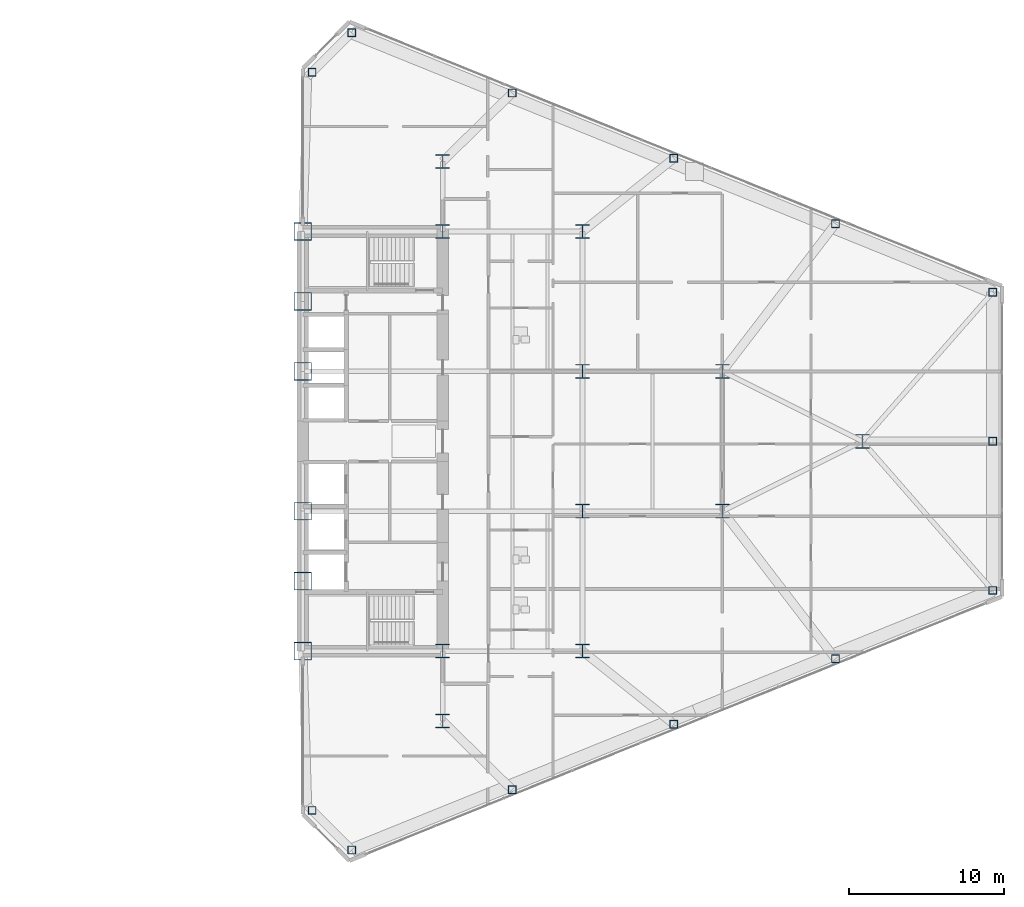
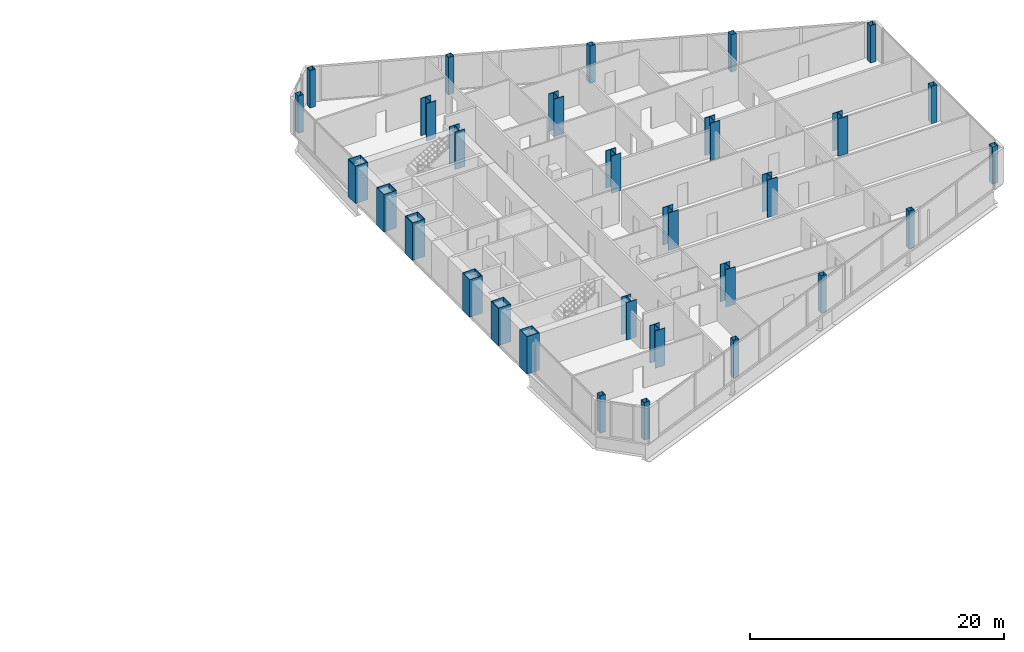
# One storey, part 2 of 26: 30 columns.
"""IFC4 building model written with IfcOpenShell, lengths in metres."""

from ifc_helpers import new_model, si_unit, direction, frame, origin, origin_2d, place, context, subcontext, project, spatial, hollow_rectangle, i_section, extrude, source, transform, mapped, material, material_profile, profile_set, type_object, type_shapes, element, save


model = new_model("IFC4")

# Units and contexts
model_context = context("Model", 3, precision=1e-05, world=origin(), true_north=direction((0.0, 1.0)))
body_context = subcontext(model_context, "Body", "Model", "MODEL_VIEW")
ifc_project = project(units=[si_unit("LENGTHUNIT", "METRE"), si_unit("AREAUNIT", "SQUARE_METRE"), si_unit("VOLUMEUNIT", "CUBIC_METRE"), si_unit("PLANEANGLEUNIT", "RADIAN"), si_unit("MASSUNIT", "GRAM", prefix="KILO")], contexts=[model_context])

# Site, building, storey
site_placement = place(None, origin())
site = spatial("IfcSite", under=ifc_project, at=site_placement, CompositionType="ELEMENT")
building_placement = place(site_placement, origin())
building = spatial("IfcBuilding", under=site, at=building_placement, Name="Seokmaru Belvedere", CompositionType="ELEMENT")
storey_placement = place(building_placement, frame((0.0, 0.0, 18.89990234375)))
storey = spatial("IfcBuildingStorey", under=building, at=storey_placement, Name="L04", CompositionType="ELEMENT", Elevation=18.89990234375)

# Columns
ifc_material_1 = material(Name="Steel HSA650 (650 MPa)", Category="steel")
ifc_material_profile_1 = material_profile(ifc_material_1, hollow_rectangle(XDim=1.14990234375, YDim=1.14990234375, WallThickness=0.048095703125, at=origin_2d()), Name="BOX-1150x1150x48")
ifc_profile_set_1 = profile_set([ifc_material_profile_1], Name="Steel HSA650 (650 MPa)")
column_type_1 = type_object("IfcColumnType", Name="Portal Spine Column BOX-1150", PredefinedType="COLUMN", material=ifc_profile_set_1)
shared_shape_1 = source(origin(), body_context, "Body", "SweptSolid", [
    extrude(hollow_rectangle(XDim=1.14990234375, YDim=1.14990234375, WallThickness=0.048095703125, at=origin_2d()), origin(), (0.0, 0.0, 1.0), 3.60009765625),
])
type_shapes(column_type_1, [shared_shape_1])
for number, where, z_axis, x_axis, name in (
    (1, (27.5, -13.5, 0.0), (0.0, 0.0, 1.0), (1.0, 0.0, 0.0), "L04 Column ES1"),
    (2, (27.5, -9.0, 0.0), (0.0, 0.0, 1.0), (1.0, 0.0, 0.0), "L04 Column ES2"),
    (3, (27.5, -4.5, 0.0), (0.0, 0.0, 1.0), (1.0, 0.0, 0.0), "L04 Column ES3"),
    (4, (27.5, 4.5, 0.0), (0.0, 0.0, 1.0), (1.0, 0.0, 0.0), "L04 Column ES4"),
    (5, (27.5, 9.0, 0.0), (0.0, 0.0, 1.0), (1.0, 0.0, 0.0), "L04 Column ES5"),
    (6, (27.5, 13.5, 0.0), (0.0, 0.0, 1.0), (1.0, 0.0, 0.0), "L04 Column ES6"),
):
    element("IfcColumn", number, at=place(storey_placement, frame(where, z_axis=z_axis, x_axis=x_axis)), inside=storey, type_object=column_type_1, Name=name, PredefinedType="COLUMN", context=body_context, shape_type="MappedRepresentation", body=[
        mapped(shared_shape_1, transform((0.0, 0.0, 0.0), scale=1.0)),
    ])
ifc_material_profile_2 = material_profile(ifc_material_1, i_section(OverallWidth=0.89990234375, OverallDepth=0.89990234375, WebThickness=0.035888671875, FlangeThickness=0.054931640625, at=origin_2d()), Name="H-900x900x36x55")
ifc_profile_set_2 = profile_set([ifc_material_profile_2], Name="Steel HSA650 (650 MPa)")
column_type_2 = type_object("IfcColumnType", Name="Lower Interior Column H-900", PredefinedType="COLUMN", material=ifc_profile_set_2)
shared_shape_2 = source(origin(), body_context, "Body", "SweptSolid", [
    extrude(i_section(OverallWidth=0.89990234375, OverallDepth=0.89990234375, WebThickness=0.035888671875, FlangeThickness=0.054931640625, at=origin_2d()), origin(), (0.0, 0.0, 1.0), 3.60009765625),
])
type_shapes(column_type_2, [shared_shape_2])
for number, where, z_axis, x_axis, name in (
    (7, (36.5, -18.0, 0.0), (0.0, 0.0, 1.0), (1.0, 0.0, 0.0), "L04 Column EC1"),
    (8, (36.5, -13.5, 0.0), (0.0, 0.0, 1.0), (1.0, 0.0, 0.0), "L04 Column EC2"),
    (9, (36.5, 13.5, 0.0), (0.0, 0.0, 1.0), (1.0, 0.0, 0.0), "L04 Column EC3"),
    (10, (36.5, 18.0, 0.0), (0.0, 0.0, 1.0), (1.0, 0.0, 0.0), "L04 Column EC4"),
    (11, (45.5, -13.5, 0.0), (0.0, 0.0, 1.0), (1.0, 0.0, 0.0), "L04 Column EG5_1"),
    (12, (45.5, -4.5, 0.0), (0.0, 0.0, 1.0), (1.0, 0.0, 0.0), "L04 Column EG5_2"),
    (13, (45.5, 4.5, 0.0), (0.0, 0.0, 1.0), (1.0, 0.0, 0.0), "L04 Column EG5_3"),
    (14, (45.5, 13.5, 0.0), (0.0, 0.0, 1.0), (1.0, 0.0, 0.0), "L04 Column EG5_4"),
    (15, (54.5, -4.5, 0.0), (0.0, 0.0, 1.0), (1.0, 0.0, 0.0), "L04 Column EG4P_1"),
    (16, (54.5, 4.5, 0.0), (0.0, 0.0, 1.0), (1.0, 0.0, 0.0), "L04 Column EG4P_2"),
    (17, (63.5, 0.0, 0.0), (0.0, 0.0, 1.0), (1.0, 0.0, 0.0), "L04 Column EG3P_1"),
):
    element("IfcColumn", number, at=place(storey_placement, frame(where, z_axis=z_axis, x_axis=x_axis)), inside=storey, type_object=column_type_2, Name=name, PredefinedType="COLUMN", context=body_context, shape_type="MappedRepresentation", body=[
        mapped(shared_shape_2, transform((0.0, 0.0, 0.0), scale=1.0)),
    ])
ifc_material_2 = material(Name="Steel SM355 (355 MPa)", Category="steel")
ifc_material_profile_3 = material_profile(ifc_material_2, hollow_rectangle(XDim=0.5, YDim=0.5, WallThickness=0.02001953125, at=origin_2d()), Name="HSS-500x500x20")
ifc_profile_set_3 = profile_set([ifc_material_profile_3], Name="Steel SM355 (355 MPa)")
column_type_3 = type_object("IfcColumnType", Name="Perimeter Facet Column HSS-500", PredefinedType="COLUMN", material=ifc_profile_set_3)
shared_shape_3 = source(origin(), body_context, "Body", "SweptSolid", [
    extrude(hollow_rectangle(XDim=0.5, YDim=0.5, WallThickness=0.02001953125, at=origin_2d()), origin(), (0.0, 0.0, 1.0), 3.60009765625),
])
type_shapes(column_type_3, [shared_shape_3])
for number, where, z_axis, x_axis, name in (
    (18, (30.643310546875, -26.294677734375, 0.0), (0.0, 0.0, 1.0), (1.0, 0.0, 0.0), "L04 Column EF1"),
    (19, (71.89990234375, -9.595703125, 0.0), (0.0, 0.0, 1.0), (1.0, 0.0, 0.0), "L04 Column EF2"),
    (20, (71.89990234375, 9.595703125, 0.0), (0.0, 0.0, 1.0), (1.0, 0.0, 0.0), "L04 Column EF3"),
    (21, (30.643310546875, 26.294677734375, 0.0), (0.0, 0.0, 1.0), (1.0, 0.0, 0.0), "L04 Column EF4"),
    (22, (28.10009765625, 23.75146484375, 0.0), (0.0, 0.0, 1.0), (1.0, 0.0, 0.0), "L04 Column EF5"),
    (23, (28.10009765625, -23.75146484375, 0.0), (0.0, 0.0, 1.0), (1.0, 0.0, 0.0), "L04 Column EF6"),
    (24, (40.977294921875, -22.4140625, 0.0), (0.0, 0.0, 1.0), (1.0, 0.0, 0.0), "L04 Column EFLK_S1"),
    (25, (51.378173828125, -18.2041015625, 0.0), (0.0, 0.0, 1.0), (1.0, 0.0, 0.0), "L04 Column EFLK_S2"),
    (26, (61.779052734375, -13.994140625, 0.0), (0.0, 0.0, 1.0), (1.0, 0.0, 0.0), "L04 Column EFLK_S3"),
    (27, (40.977294921875, 22.4140625, 0.0), (0.0, 0.0, 1.0), (1.0, 0.0, 0.0), "L04 Column EFLK_N1"),
    (28, (51.378173828125, 18.2041015625, 0.0), (0.0, 0.0, 1.0), (1.0, 0.0, 0.0), "L04 Column EFLK_N2"),
    (29, (61.779052734375, 13.994140625, 0.0), (0.0, 0.0, 1.0), (1.0, 0.0, 0.0), "L04 Column EFLK_N3"),
    (30, (71.89990234375, 0.0, 0.0), (0.0, 0.0, 1.0), (1.0, 0.0, 0.0), "L04 Column EF_APXM"),
):
    element("IfcColumn", number, at=place(storey_placement, frame(where, z_axis=z_axis, x_axis=x_axis)), inside=storey, type_object=column_type_3, Name=name, PredefinedType="COLUMN", context=body_context, shape_type="MappedRepresentation", body=[
        mapped(shared_shape_3, transform((0.0, 0.0, 0.0), scale=1.0)),
    ])

save(model, "model.ifc")
